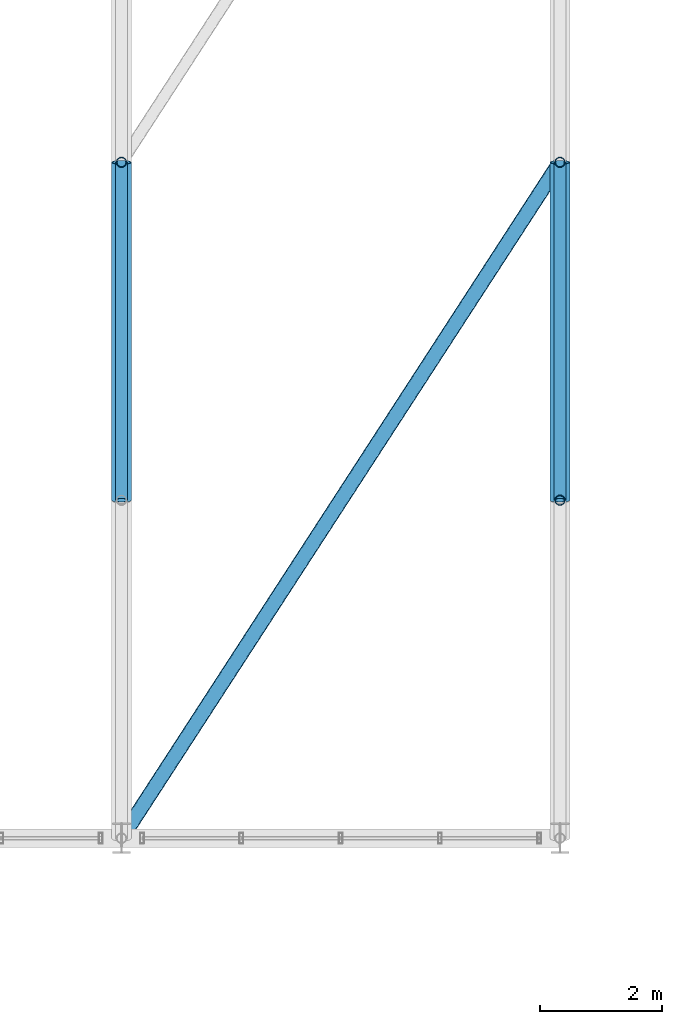
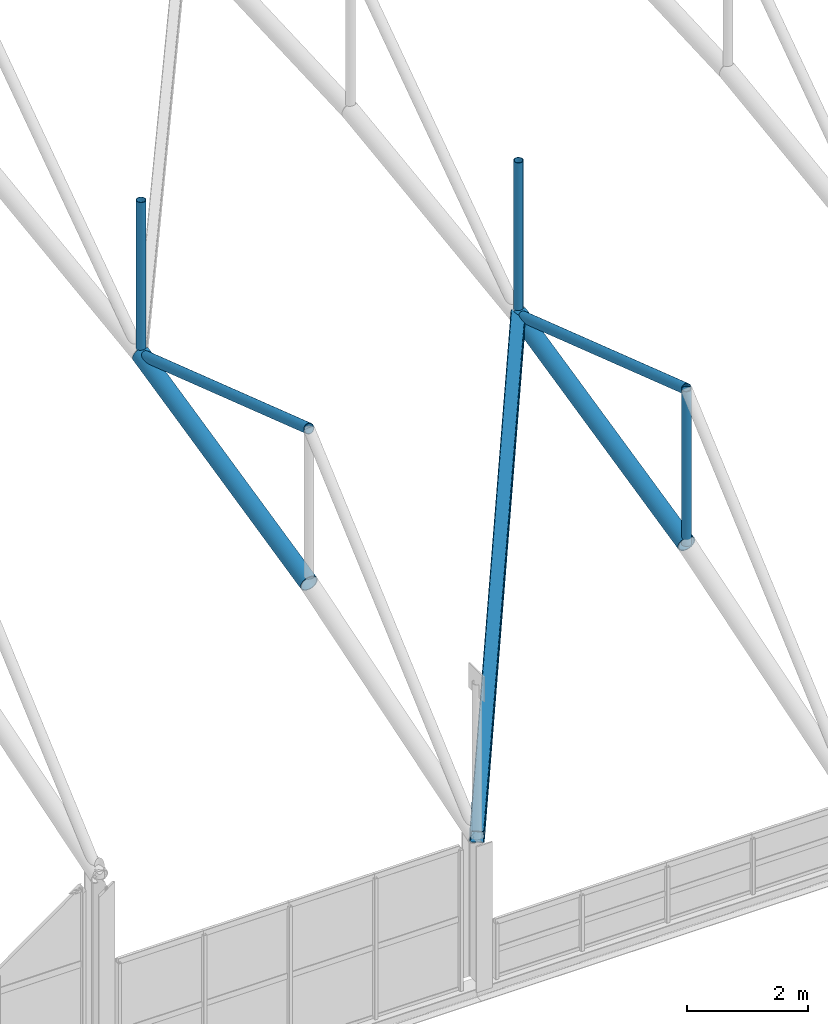
# One storey, part 25 of 153: 8 members.
"""IFC4 building model written with IfcOpenShell, lengths in metres."""

import ifcopenshell
import ifcopenshell.guid

model = None  # the IFC model being written
_history = None  # IfcOwnerHistory: only IFC2X3 demands one
_inside = {}  # id of a spatial element -> (the spatial element, [elements in it])
_under = {}  # id of a project, library or spatial element -> (it, [spatial elements below it])
_declared = {}  # id of a project -> (the project, [libraries it declares])
_typed = {}  # id of a type object -> (the type object, [elements of that type])
_made_of = {}  # id of a material, layer set ... -> (it, [elements and type objects made of it])


def new_model(schema):
    """Start an empty IFC model of exactly this schema.

    Asked for "IFC4X3", IfcOpenShell would pick the latest addendum, in which some entities
    have other attributes; the version numbers below select the first issue.
    IFC2X3 requires an IfcOwnerHistory on every rooted entity: one is made here for all.
    """
    global model, _history
    if schema == "IFC4X3":
        model = ifcopenshell.file(schema_version=(4, 3, 0, 0))
    else:
        model = ifcopenshell.file(schema=schema)
    _inside.clear()
    _under.clear()
    _declared.clear()
    _typed.clear()
    _made_of.clear()
    _history = None
    if model.schema == "IFC2X3":
        org = make("IfcOrganization", Name="unknown")
        user = make(
            "IfcPersonAndOrganization",
            ThePerson=make("IfcPerson", FamilyName="unknown"),
            TheOrganization=org,
        )
        app = make(
            "IfcApplication",
            ApplicationDeveloper=org,
            Version="unknown",
            ApplicationFullName="unknown",
            ApplicationIdentifier="unknown",
        )
        _history = make(
            "IfcOwnerHistory",
            OwningUser=user,
            OwningApplication=app,
            ChangeAction="ADDED",
            CreationDate=0,
        )
    return model


def make(cls, **values):
    """One entity of the class cls with the attributes given. An attribute that is None is left unset."""
    return model.create_entity(
        cls, **{name: value for name, value in values.items() if value is not None}
    )


def rooted(cls, **values):
    """An entity with a GlobalId (a new one), such as an element, a storey or a relation."""
    return make(cls, GlobalId=ifcopenshell.guid.new(), OwnerHistory=_history, **values)


def si_unit(unit_type, name, prefix=None):
    """IfcSIUnit, for example si_unit("LENGTHUNIT", "METRE", prefix="MILLI")."""
    return make("IfcSIUnit", UnitType=unit_type, Prefix=prefix, Name=name)


def derived_unit(unit_type, elements):
    """IfcDerivedUnit: a product of units, each with its exponent."""
    return make(
        "IfcDerivedUnit",
        Elements=[
            make("IfcDerivedUnitElement", Unit=unit, Exponent=power)
            for unit, power in elements
        ],
        UnitType=unit_type,
    )


def assignment(units):
    """IfcUnitAssignment: the units of a project."""
    return None if units is None else make("IfcUnitAssignment", Units=units)


def point(xyz):
    """IfcCartesianPoint."""
    return None if xyz is None else make("IfcCartesianPoint", Coordinates=xyz)


def direction(xyz):
    """IfcDirection."""
    return None if xyz is None else make("IfcDirection", DirectionRatios=xyz)


def frame(location, z_axis=None, x_axis=None):
    """IfcAxis2Placement3D, a coordinate frame: its origin and axes. An axis left out is left unset."""
    return make(
        "IfcAxis2Placement3D",
        Location=point(location),
        Axis=direction(z_axis),
        RefDirection=direction(x_axis),
    )


def frame_2d(location, x_axis=None):
    """IfcAxis2Placement2D, a coordinate frame in the plane: its origin and x axis."""
    return make(
        "IfcAxis2Placement2D", Location=point(location), RefDirection=direction(x_axis)
    )


def origin():
    """The frame at (0, 0, 0) with its axes left unset."""
    return frame((0.0, 0.0, 0.0))


def origin_2d():
    """The frame at (0, 0) in the plane with its x axis left unset."""
    return frame_2d((0.0, 0.0))


def place(relative_to, where):
    """IfcLocalPlacement: puts the frame where relative to a parent placement (None: the world)."""
    return make(
        "IfcLocalPlacement", PlacementRelTo=relative_to, RelativePlacement=where
    )


def context(
    kind, dimensions, precision=None, world=None, true_north=None, identifier=None
):
    """IfcGeometricRepresentationContext, for example the 3D "Model" context."""
    return make(
        "IfcGeometricRepresentationContext",
        ContextIdentifier=identifier,
        ContextType=kind,
        CoordinateSpaceDimension=dimensions,
        Precision=precision,
        WorldCoordinateSystem=world,
        TrueNorth=true_north,
    )


def subcontext(parent, identifier, kind, view, scale=None):
    """IfcGeometricRepresentationSubContext, for example "Body" below "Model"."""
    return make(
        "IfcGeometricRepresentationSubContext",
        ContextIdentifier=identifier,
        ContextType=kind,
        ParentContext=parent,
        TargetScale=scale,
        TargetView=view,
    )


def project(units=None, contexts=None):
    """IfcProject with its units and contexts."""
    return rooted(
        "IfcProject",
        Name="project",
        RepresentationContexts=contexts,
        UnitsInContext=assignment(units),
    )


def spatial(cls, under=None, at=None, **own):
    """A site, building, storey or space (cls), placed at a placement, below another one or the project."""
    s = rooted(cls, ObjectPlacement=at, **own)
    if under is not None:
        _under.setdefault(under.id(), (under, []))[1].append(s)
    return s


def profile(cls, at=None, kind="AREA", **sizes):
    """A parametric profile (cls). Its sizes go by their IFC names, for example OverallWidth=200.0."""
    return make(cls, ProfileType=kind, Position=at, **sizes)


def hollow_rectangle(**sizes):
    """IfcRectangleHollowProfileDef."""
    return profile("IfcRectangleHollowProfileDef", **sizes)


def hollow_circle(**sizes):
    """IfcCircleHollowProfileDef."""
    return profile("IfcCircleHollowProfileDef", **sizes)


def extrude(swept, where, along, depth):
    """IfcExtrudedAreaSolid: the profile swept, set in the frame where, extruded along a direction by depth."""
    return make(
        "IfcExtrudedAreaSolid",
        SweptArea=swept,
        Position=where,
        ExtrudedDirection=direction(along),
        Depth=depth,
    )


def shape(context_of_items, identifier, shape_type, items):
    """IfcShapeRepresentation: the items that make up one representation, for example the "Body"."""
    return make(
        "IfcShapeRepresentation",
        ContextOfItems=context_of_items,
        RepresentationIdentifier=identifier,
        RepresentationType=shape_type,
        Items=items,
    )


def material(Name=None, Category=None):
    """IfcMaterial."""
    return make("IfcMaterial", Name=Name, Category=Category)


def material_profile(
    of_material, cross_section, Name=None, Category=None, Priority=None
):
    """IfcMaterialProfile: a cross section and its material."""
    return make(
        "IfcMaterialProfile",
        Name=Name,
        Material=of_material,
        Profile=cross_section,
        Priority=Priority,
        Category=Category,
    )


def profile_set(profiles, Name=None, composite=None):
    """IfcMaterialProfileSet."""
    return make(
        "IfcMaterialProfileSet",
        Name=Name,
        MaterialProfiles=profiles,
        CompositeProfile=composite,
    )


def made_of(thing, what):
    """Note that an element or type object is made of a material, layer set ...; save() writes the relation."""
    if what is not None:
        _made_of.setdefault(what.id(), (what, []))[1].append(thing)
    return thing


def type_object(cls, material=None, **own):
    """A type object (cls), such as IfcWallType, which elements share."""
    return made_of(rooted(cls, **own), material)


def element(
    cls,
    number,
    at=None,
    inside=None,
    cuts=None,
    type_object=None,
    material=None,
    context=None,
    identifier="Body",
    shape_type=None,
    held_by="IfcProductDefinitionShape",
    body=None,
    shapes=None,
    **own,
):
    """One element of the class cls, such as IfcWall. Its Tag is "e" and its number.

    at: its placement. inside: the storey or other place that contains it. cuts: it is an
    opening in that element (IfcRelVoidsElement). A single representation is given by context,
    identifier, shape_type and body (its items); several are given by shapes. held_by: the class
    of the entity that holds the representations. save() writes the other relations.
    """
    e = rooted(cls, Tag="e%d" % number, ObjectPlacement=at, **own)
    if body is not None:
        shapes = [shape(context, identifier, shape_type, body)]
    if shapes is not None:
        e.Representation = make(held_by, Representations=shapes)
    if inside is not None:
        _inside.setdefault(inside.id(), (inside, []))[1].append(e)
    if cuts is not None:
        rooted(
            "IfcRelVoidsElement", RelatingBuildingElement=cuts, RelatedOpeningElement=e
        )
    if type_object is not None:
        _typed.setdefault(type_object.id(), (type_object, []))[1].append(e)
    return made_of(e, material)


def aggregate(whole, parts):
    """IfcRelAggregates: a whole, such as a stair, and the parts it consists of."""
    return rooted("IfcRelAggregates", RelatingObject=whole, RelatedObjects=parts)


def save(model, path):
    """Write the relations noted so far, then the file.

    IfcRelAggregates (storeys below a building ...), IfcRelContainedInSpatialStructure (elements
    in a storey), IfcRelDefinesByType, IfcRelAssociatesMaterial and IfcRelDeclares: one each for
    every whole, place, type object, material and project.
    """
    for whole, parts in _under.values():
        aggregate(whole, parts)
    for where, things in _inside.values():
        rooted(
            "IfcRelContainedInSpatialStructure",
            RelatedElements=things,
            RelatingStructure=where,
        )
    for kind, things in _typed.values():
        rooted("IfcRelDefinesByType", RelatedObjects=things, RelatingType=kind)
    for what, things in _made_of.values():
        rooted("IfcRelAssociatesMaterial", RelatedObjects=things, RelatingMaterial=what)
    for by, libraries in _declared.values():
        rooted("IfcRelDeclares", RelatingContext=by, RelatedDefinitions=libraries)
    model.write(path)


model = new_model("IFC4")

# Units and contexts
model_context = context("Model", 3, precision=1e-05, world=origin(), true_north=direction((0.0, 1.0)))
body_context = subcontext(model_context, "Body", "Model", "MODEL_VIEW")
ifc_project = project(units=[si_unit("LENGTHUNIT", "METRE"), si_unit("AREAUNIT", "SQUARE_METRE"), si_unit("VOLUMEUNIT", "CUBIC_METRE"), si_unit("PLANEANGLEUNIT", "RADIAN"), si_unit("MASSUNIT", "GRAM", prefix="KILO"), derived_unit("THERMALTRANSMITTANCEUNIT", [(si_unit("POWERUNIT", "WATT"), 1), (si_unit("LENGTHUNIT", "METRE"), -2), (si_unit("THERMODYNAMICTEMPERATUREUNIT", "KELVIN"), -1)])], contexts=[model_context])

# Site, building, storey
site_placement = place(None, origin())
site = spatial("IfcSite", under=ifc_project, at=site_placement, CompositionType="ELEMENT")
building_placement = place(site_placement, origin())
building = spatial("IfcBuilding", under=site, at=building_placement, Name="Keldorne Ridge Multi-Sports Centre", CompositionType="ELEMENT")
storey_placement = place(building_placement, frame((0.0, 0.0, 9.60009765625)))
storey = spatial("IfcBuildingStorey", under=building, at=storey_placement, Name="L02", CompositionType="ELEMENT", Elevation=9.60009765625)

# Members
ifc_material = material(Name="Steel S355", Category="steel")
ifc_material_profile_1 = material_profile(ifc_material, hollow_circle(Radius=0.161865234375, WallThickness=0.01611328125, at=origin_2d()), Name="CHS 323.9x16")
ifc_profile_set_1 = profile_set([ifc_material_profile_1], Name="Steel S355")
member_type_1 = type_object("IfcMemberType", Name="MEM-TC-02", PredefinedType="CHORD", material=ifc_profile_set_1)
for number, where, z_axis, x_axis, name in (
    (1, (27.60009765625, 15.14990234375, 4.68994140625), (0.0, 0.975563092904, 0.219719484259), (-1.0, 0.0, 0.0), "Main Hall ROOF TRUSS AT-04 bottom chord 2"),
    (2, (34.800048828125, 15.14990234375, 2.969970703125), (0.0, 0.975563092904, 0.219719484259), (-1.0, 0.0, 0.0), "Main Hall ROOF TRUSS AT-05 bottom chord 2"),
):
    element("IfcMember", number, at=place(storey_placement, frame(where, z_axis=z_axis, x_axis=x_axis)), inside=storey, type_object=member_type_1, Name=name, PredefinedType="CHORD", context=body_context, shape_type="SweptSolid", body=[
        extrude(hollow_circle(Radius=0.161865234375, WallThickness=0.01611328125, at=origin_2d()), origin(), (0.0, 0.0, 1.0), 5.68896484375),
    ])
ifc_material_profile_2 = material_profile(ifc_material, hollow_rectangle(XDim=0.25, YDim=0.25, WallThickness=0.012451171875, InnerFilletRadius=0.012451171875, OuterFilletRadius=0.02490234375, at=origin_2d()), Name="RHS 250x250x12.5")
ifc_profile_set_2 = profile_set([ifc_material_profile_2], Name="Steel S355")
member_type_2 = type_object("IfcMemberType", Name="MEM-TC-06", PredefinedType="CHORD", material=ifc_profile_set_2)
member_placement = place(storey_placement, frame((27.60009765625, 9.60009765625, 2.93994140625), z_axis=(0.541664409365, 0.835060607364, 0.096298752104), x_axis=(-0.838959693152, 0.544193562317, 0.0)))
element("IfcMember", 3, at=member_placement, inside=storey, type_object=member_type_2, Name="Main Hall wind girder brace 4.1", PredefinedType="BRACE", context=body_context, shape_type="SweptSolid", body=[
    extrude(hollow_rectangle(XDim=0.25, YDim=0.25, WallThickness=0.012451171875, InnerFilletRadius=0.012451171875, OuterFilletRadius=0.02490234375, at=origin_2d()), origin(), (0.0, 0.0, 1.0), 13.292236328125),
])
ifc_material_profile_3 = material_profile(ifc_material, hollow_circle(Radius=0.096923828125, WallThickness=0.010009765625, at=origin_2d()), Name="CHS 193.7x10")
ifc_profile_set_3 = profile_set([ifc_material_profile_3], Name="Steel S355")
member_type_3 = type_object("IfcMemberType", Name="MEM-TD-01", PredefinedType="BRACE", material=ifc_profile_set_3)
for number, where, z_axis, x_axis, name in (
    (4, (27.60009765625, 15.14990234375, 7.809814453125), (0.0, 0.947661237718, -0.319277588514), (-1.0, 0.0, 0.0), "Main Hall ROOF TRUSS AT-04 diagonal 2"),
    (5, (34.800048828125, 15.14990234375, 6.08984375), (0.0, 0.947661237718, -0.319277588514), (-1.0, 0.0, 0.0), "Main Hall ROOF TRUSS AT-05 diagonal 2"),
):
    element("IfcMember", number, at=place(storey_placement, frame(where, z_axis=z_axis, x_axis=x_axis)), inside=storey, type_object=member_type_3, Name=name, PredefinedType="BRACE", context=body_context, shape_type="SweptSolid", body=[
        extrude(hollow_circle(Radius=0.096923828125, WallThickness=0.010009765625, at=origin_2d()), origin(), (0.0, 0.0, 1.0), 5.856689453125),
    ])
ifc_material_profile_4 = material_profile(ifc_material, hollow_circle(Radius=0.084228515625, WallThickness=0.010009765625, at=origin_2d()), Name="CHS 168.3x10")
ifc_profile_set_4 = profile_set([ifc_material_profile_4], Name="Steel S355")
member_type_4 = type_object("IfcMemberType", Name="MEM-TV-01", PredefinedType="STRUT", material=ifc_profile_set_4)
for number, where, z_axis, x_axis, name in (
    (6, (27.60009765625, 20.699951171875, 5.93994140625), (0.0, 0.0, 1.0), (1.0, 0.0, 0.0), "Main Hall ROOF TRUSS AT-04 vertical 3"),
    (7, (34.800048828125, 15.14990234375, 2.969970703125), (0.0, 0.0, 1.0), (1.0, 0.0, 0.0), "Main Hall ROOF TRUSS AT-05 vertical 2"),
    (8, (34.800048828125, 20.699951171875, 4.219970703125), (0.0, 0.0, 1.0), (1.0, 0.0, 0.0), "Main Hall ROOF TRUSS AT-05 vertical 3"),
):
    element("IfcMember", number, at=place(storey_placement, frame(where, z_axis=z_axis, x_axis=x_axis)), inside=storey, type_object=member_type_4, Name=name, PredefinedType="STRUT", context=body_context, shape_type="SweptSolid", body=[
        extrude(hollow_circle(Radius=0.084228515625, WallThickness=0.010009765625, at=origin_2d()), origin(), (0.0, 0.0, 1.0), 3.119873046875),
    ])

save(model, "model.ifc")
